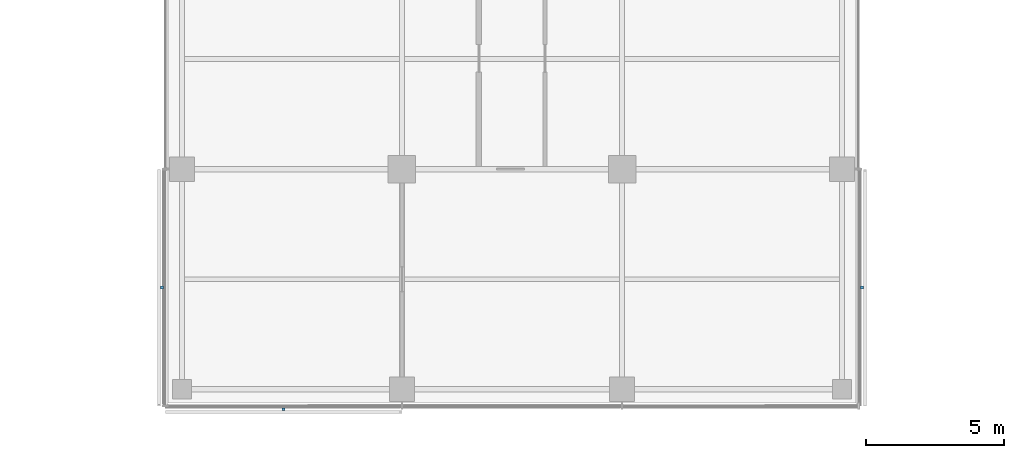
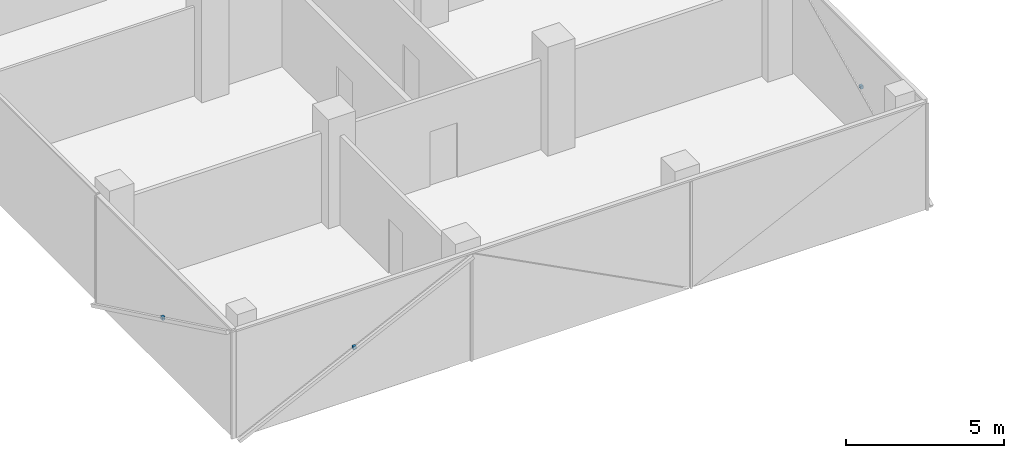
# One storey, part 18 of 22: 3 discrete accessories.
"""IFC4 building model written with IfcOpenShell, lengths in metres."""

from ifc_helpers import new_model, si_unit, direction, frame, origin, origin_2d, place, context, subcontext, project, spatial, rectangle, extrude, material, type_object, element, save


model = new_model("IFC4")

# Units and contexts
model_context = context("Model", 3, precision=1e-05, world=origin(), true_north=direction((0.0, 1.0)))
body_context = subcontext(model_context, "Body", "Model", "MODEL_VIEW")
ifc_project = project(units=[si_unit("LENGTHUNIT", "METRE"), si_unit("AREAUNIT", "SQUARE_METRE"), si_unit("VOLUMEUNIT", "CUBIC_METRE"), si_unit("PLANEANGLEUNIT", "RADIAN"), si_unit("MASSUNIT", "GRAM", prefix="KILO")], contexts=[model_context])

# Site, building, storey
site_placement = place(None, origin())
site = spatial("IfcSite", under=ifc_project, at=site_placement, CompositionType="ELEMENT")
building_placement = place(site_placement, origin())
building = spatial("IfcBuilding", under=site, at=building_placement, Name="Crosswind Convention Tower", CompositionType="ELEMENT")
storey_placement = place(building_placement, frame((0.0, 0.0, 137.89990234375)))
storey = spatial("IfcBuildingStorey", under=building, at=storey_placement, Name="L28", CompositionType="ELEMENT", Elevation=137.89990234375)

# Discrete accessories
ifc_material = material(Name="Stainless steel", Category="steel")
discrete_accessory_type = type_object("IfcDiscreteAccessoryType", Name="BAGUETTE BRACKET BK3", PredefinedType="BRACKET", material=ifc_material)
for number, where, z_axis, x_axis, name in (
    (1, (112.27392578125, 75.695068359375, 1.705078125), (0.0, 0.0, 1.0), (0.0, -1.0, 0.0), "BK3 baguette bracket"),
    (2, (116.695068359375, 71.27392578125, 1.705078125), (0.0, 0.0, 1.0), (1.0, 0.0, 0.0), "BK3 baguette bracket"),
    (3, (137.72607421875, 75.695068359375, 1.705078125), (0.0, 0.0, 1.0), (0.0, 1.0, 0.0), "BK3 baguette bracket"),
):
    element("IfcDiscreteAccessory", number, at=place(storey_placement, frame(where, z_axis=z_axis, x_axis=x_axis)), inside=storey, type_object=discrete_accessory_type, Name=name, PredefinedType="BRACKET", context=body_context, shape_type="SweptSolid", body=[
        extrude(rectangle(XDim=0.1201171875, YDim=0.10009765625, at=origin_2d()), origin(), (0.0, 0.0, 1.0), 0.1201171875),
    ])

save(model, "model.ifc")
